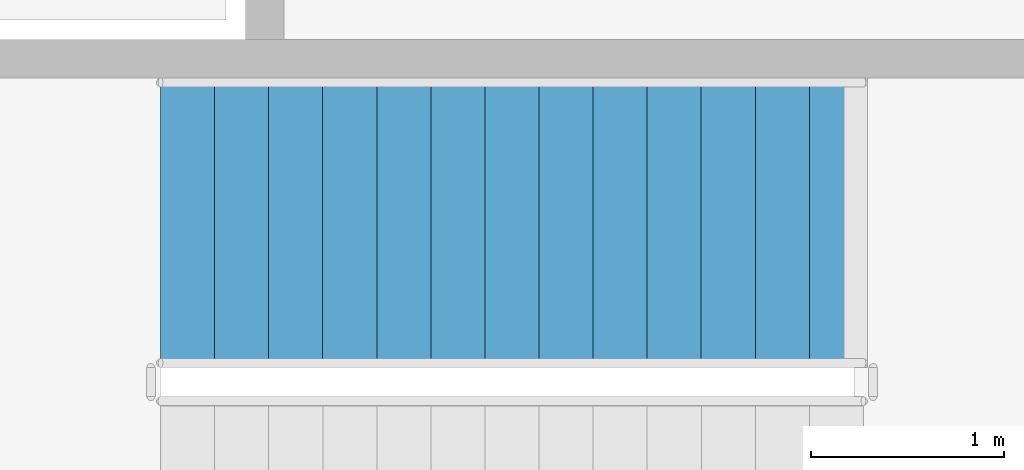
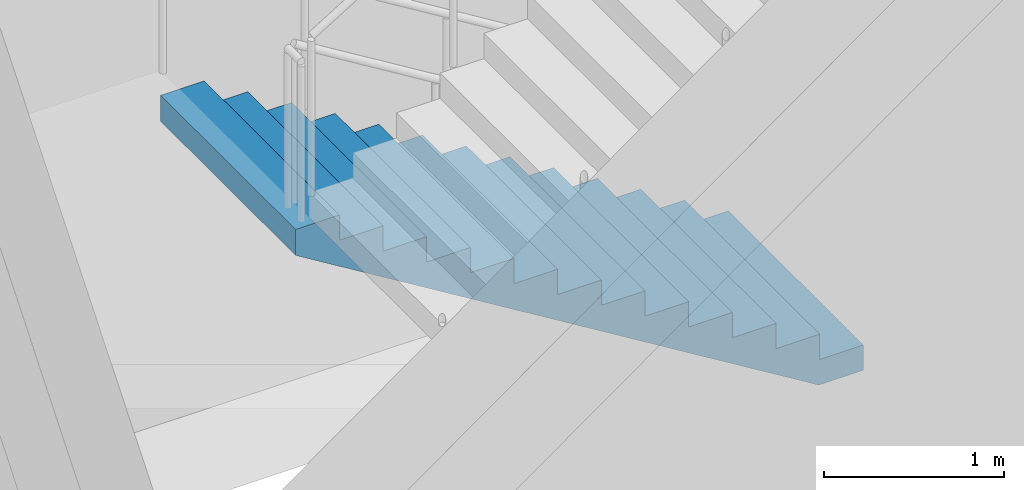
# One storey, part 66 of 91: 1 stair flight, 1 element without a shape of its own.
"""IFC4 building model written with IfcOpenShell, lengths in metres."""

from ifc_helpers import new_model, si_unit, direction, frame, origin, place, context, subcontext, project, spatial, triangles, material, type_object, element, aggregate, save


model = new_model("IFC4")

# Units and contexts
model_context = context("Model", 3, precision=1e-05, world=origin(), true_north=direction((0.0, 1.0)))
body_context = subcontext(model_context, "Body", "Model", "MODEL_VIEW")
ifc_project = project(units=[si_unit("LENGTHUNIT", "METRE"), si_unit("AREAUNIT", "SQUARE_METRE"), si_unit("VOLUMEUNIT", "CUBIC_METRE"), si_unit("PLANEANGLEUNIT", "RADIAN"), si_unit("MASSUNIT", "GRAM", prefix="KILO")], contexts=[model_context])

# Site, building, storey
site_placement = place(None, origin())
site = spatial("IfcSite", under=ifc_project, at=site_placement, CompositionType="ELEMENT")
building_placement = place(site_placement, origin())
building = spatial("IfcBuilding", under=site, at=building_placement, Name="Magnolia Steps Interchange", CompositionType="ELEMENT")
storey_placement = place(building_placement, origin())
storey = spatial("IfcBuildingStorey", under=building, at=storey_placement, Name="L00", CompositionType="ELEMENT", Elevation=0.0)

# Stair, stair flight
ifc_material_1 = material(Name="Concrete C40", Category="concrete")
stair_type = type_object("IfcStairType", Name="Exit stair 1500", PredefinedType="HALF_TURN_STAIR", material=ifc_material_1)
stair_placement = place(storey_placement, origin())
stair = element("IfcStair", 1, at=stair_placement, inside=storey, type_object=stair_type, Name="L00 Stair 1", PredefinedType="HALF_TURN_STAIR")
ifc_material_2 = material(Name="Concrete C40", Category="concrete")
stair_flight_type = type_object("IfcStairFlightType", Name="Exit stair flight", PredefinedType="STRAIGHT", material=ifc_material_2)
stair_flight_placement = place(storey_placement, frame((59.0, 77.699951171875, 0.0), z_axis=(0.0, 0.0, 1.0), x_axis=(-1.0, 0.0, 0.0)))
stair_flight = element("IfcStairFlight", 2, at=stair_flight_placement, type_object=stair_flight_type, Name="Stair 1 flight 1", NumberOfRisers=14, NumberOfTreads=13, PredefinedType="STRAIGHT", RiserHeight=0.171428571, TreadLength=0.28, context=body_context, shape_type="Tessellation", body=[
    triangles([(0.0, -0.75, 0.0), (0.287109375, -0.75, 0.0), (3.639892578125, -0.75, 2.052734375), (3.639892578125, -0.75, 2.228515625), (3.360107421875, -0.75, 2.228515625), (3.360107421875, -0.75, 2.05712890625), (3.080078125, -0.75, 2.05712890625), (3.080078125, -0.75, 1.8857421875), (2.800048828125, -0.75, 1.8857421875), (2.800048828125, -0.75, 1.71435546875), (2.52001953125, -0.75, 1.71435546875), (2.52001953125, -0.75, 1.54296875), (2.239990234375, -0.75, 1.54296875), (2.239990234375, -0.75, 1.371337890625), (1.9599609375, -0.75, 1.371337890625), (1.9599609375, -0.75, 1.199951171875), (1.679931640625, -0.75, 1.199951171875), (1.679931640625, -0.75, 1.028564453125), (1.39990234375, -0.75, 1.028564453125), (1.39990234375, -0.75, 0.857177734375), (1.1201171875, -0.75, 0.857177734375), (1.1201171875, -0.75, 0.685791015625), (0.840087890625, -0.75, 0.685791015625), (0.840087890625, -0.75, 0.514404296875), (0.56005859375, -0.75, 0.514404296875), (0.56005859375, -0.75, 0.3427734375), (0.280029296875, -0.75, 0.3427734375), (0.280029296875, -0.75, 0.17138671875), (0.0, -0.75, 0.17138671875), (0.0, 0.75, 0.0), (0.287109375, 0.75, 0.0), (3.639892578125, 0.75, 2.052734375), (3.639892578125, 0.75, 2.228515625), (3.360107421875, 0.75, 2.228515625), (3.360107421875, 0.75, 2.05712890625), (3.080078125, 0.75, 2.05712890625), (3.080078125, 0.75, 1.8857421875), (2.800048828125, 0.75, 1.8857421875), (2.800048828125, 0.75, 1.71435546875), (2.52001953125, 0.75, 1.71435546875), (2.52001953125, 0.75, 1.54296875), (2.239990234375, 0.75, 1.54296875), (2.239990234375, 0.75, 1.371337890625), (1.9599609375, 0.75, 1.371337890625), (1.9599609375, 0.75, 1.199951171875), (1.679931640625, 0.75, 1.199951171875), (1.679931640625, 0.75, 1.028564453125), (1.39990234375, 0.75, 1.028564453125), (1.39990234375, 0.75, 0.857177734375), (1.1201171875, 0.75, 0.857177734375), (1.1201171875, 0.75, 0.685791015625), (0.840087890625, 0.75, 0.685791015625), (0.840087890625, 0.75, 0.514404296875), (0.56005859375, 0.75, 0.514404296875), (0.56005859375, 0.75, 0.3427734375), (0.280029296875, 0.75, 0.3427734375), (0.280029296875, 0.75, 0.17138671875), (0.0, 0.75, 0.17138671875), (0.0, 0.0, 0.0), (0.0, 0.0, 0.0428466796875), (0.0, 0.0, 0.085693359375), (0.0, 0.0, 0.1285400390625), (0.0, 0.0, 0.17138671875), (0.0, -0.05, 0.0), (0.0, -0.05, 0.17138671875), (0.0, 0.05, 0.0), (0.0, 0.05, 0.17138671875), (0.046671549479166664, 0.0, 0.17138671875), (0.09334309895833333, 0.0, 0.17138671875), (0.1400146484375, 0.0, 0.17138671875), (0.18668619791666666, 0.0, 0.17138671875), (0.23335774739583334, 0.0, 0.17138671875), (0.280029296875, 0.0, 0.17138671875), (0.280029296875, -0.05, 0.17138671875), (0.280029296875, 0.05, 0.17138671875), (0.280029296875, 0.0, 0.2142333984375), (0.280029296875, 0.0, 0.257080078125), (0.280029296875, 0.0, 0.2999267578125), (0.280029296875, 0.0, 0.3427734375), (0.280029296875, -0.05, 0.3427734375), (0.280029296875, 0.05, 0.3427734375), (0.3267008463541667, 0.0, 0.3427734375), (0.3733723958333333, 0.0, 0.3427734375), (0.4200439453125, 0.0, 0.3427734375), (0.46671549479166663, 0.0, 0.3427734375), (0.5133870442708334, 0.0, 0.3427734375), (0.56005859375, 0.0, 0.3427734375), (0.56005859375, -0.05, 0.3427734375), (0.56005859375, 0.05, 0.3427734375), (0.56005859375, 0.0, 0.38568115234375), (0.56005859375, 0.0, 0.4285888671875), (0.56005859375, 0.0, 0.47149658203125), (0.56005859375, 0.0, 0.514404296875), (0.56005859375, -0.05, 0.514404296875), (0.56005859375, 0.05, 0.514404296875), (0.6067301432291666, 0.0, 0.514404296875), (0.6534016927083334, 0.0, 0.514404296875), (0.7000732421875, 0.0, 0.514404296875), (0.7467447916666666, 0.0, 0.514404296875), (0.7934163411458334, 0.0, 0.514404296875), (0.840087890625, 0.0, 0.514404296875), (0.840087890625, -0.05, 0.514404296875), (0.840087890625, 0.05, 0.514404296875), (0.840087890625, 0.0, 0.5572509765625), (0.840087890625, 0.0, 0.60009765625), (0.840087890625, 0.0, 0.6429443359375), (0.840087890625, 0.0, 0.685791015625), (0.840087890625, -0.05, 0.685791015625), (0.840087890625, 0.05, 0.685791015625), (0.8867594401041666, 0.0, 0.685791015625), (0.9334309895833334, 0.0, 0.685791015625), (0.9801025390625, 0.0, 0.685791015625), (1.0267740885416667, 0.0, 0.685791015625), (1.0734456380208333, 0.0, 0.685791015625), (1.1201171875, 0.0, 0.685791015625), (1.1201171875, -0.05, 0.685791015625), (1.1201171875, 0.05, 0.685791015625), (1.1201171875, 0.0, 0.7286376953125), (1.1201171875, 0.0, 0.771484375), (1.1201171875, 0.0, 0.8143310546875), (1.1201171875, 0.0, 0.857177734375), (1.1201171875, -0.05, 0.857177734375), (1.1201171875, 0.05, 0.857177734375), (1.1900634765625, 0.0, 0.857177734375), (1.260009765625, 0.0, 0.857177734375), (1.3299560546875, 0.0, 0.857177734375), (1.39990234375, 0.0, 0.857177734375), (1.39990234375, -0.05, 0.857177734375), (1.39990234375, 0.05, 0.857177734375), (1.39990234375, 0.0, 0.9000244140625), (1.39990234375, 0.0, 0.94287109375), (1.39990234375, 0.0, 0.9857177734375), (1.39990234375, 0.0, 1.028564453125), (1.39990234375, -0.05, 1.028564453125), (1.39990234375, 0.05, 1.028564453125), (1.4465738932291667, 0.0, 1.028564453125), (1.4932454427083333, 0.0, 1.028564453125), (1.5399169921875, 0.0, 1.028564453125), (1.5865885416666667, 0.0, 1.028564453125), (1.6332600911458333, 0.0, 1.028564453125), (1.679931640625, 0.0, 1.028564453125), (1.679931640625, -0.05, 1.028564453125), (1.679931640625, 0.05, 1.028564453125), (1.679931640625, 0.0, 1.0714111328125), (1.679931640625, 0.0, 1.1142578125), (1.679931640625, 0.0, 1.1571044921875), (1.679931640625, 0.0, 1.199951171875), (1.679931640625, -0.05, 1.199951171875), (1.679931640625, 0.05, 1.199951171875), (1.7266031901041667, 0.0, 1.199951171875), (1.7732747395833333, 0.0, 1.199951171875), (1.8199462890625, 0.0, 1.199951171875), (1.8666178385416667, 0.0, 1.199951171875), (1.9132893880208333, 0.0, 1.199951171875), (1.9599609375, 0.0, 1.199951171875), (1.9599609375, -0.05, 1.199951171875), (1.9599609375, 0.05, 1.199951171875), (1.9599609375, 0.0, 1.2427978515625), (1.9599609375, 0.0, 1.28564453125), (1.9599609375, 0.0, 1.3284912109375), (1.9599609375, 0.0, 1.371337890625), (1.9599609375, -0.05, 1.371337890625), (1.9599609375, 0.05, 1.371337890625), (2.0066324869791665, 0.0, 1.371337890625), (2.0533040364583335, 0.0, 1.371337890625), (2.0999755859375, 0.0, 1.371337890625), (2.1466471354166665, 0.0, 1.371337890625), (2.1933186848958335, 0.0, 1.371337890625), (2.239990234375, 0.0, 1.371337890625), (2.239990234375, -0.05, 1.371337890625), (2.239990234375, 0.05, 1.371337890625), (2.239990234375, 0.0, 1.41424560546875), (2.239990234375, 0.0, 1.4571533203125), (2.239990234375, 0.0, 1.50006103515625), (2.239990234375, 0.0, 1.54296875), (2.239990234375, -0.05, 1.54296875), (2.239990234375, 0.05, 1.54296875), (2.2866617838541665, 0.0, 1.54296875), (2.3333333333333335, 0.0, 1.54296875), (2.3800048828125, 0.0, 1.54296875), (2.4266764322916665, 0.0, 1.54296875), (2.4733479817708335, 0.0, 1.54296875), (2.52001953125, 0.0, 1.54296875), (2.52001953125, -0.05, 1.54296875), (2.52001953125, 0.05, 1.54296875), (2.52001953125, 0.0, 1.5858154296875), (2.52001953125, 0.0, 1.628662109375), (2.52001953125, 0.0, 1.6715087890625), (2.52001953125, 0.0, 1.71435546875), (2.52001953125, -0.05, 1.71435546875), (2.52001953125, 0.05, 1.71435546875), (2.5666910807291665, 0.0, 1.71435546875), (2.6133626302083335, 0.0, 1.71435546875), (2.6600341796875, 0.0, 1.71435546875), (2.7067057291666665, 0.0, 1.71435546875), (2.7533772786458335, 0.0, 1.71435546875), (2.800048828125, 0.0, 1.71435546875), (2.800048828125, -0.05, 1.71435546875), (2.800048828125, 0.05, 1.71435546875), (2.800048828125, 0.0, 1.7572021484375), (2.800048828125, 0.0, 1.800048828125), (2.800048828125, 0.0, 1.8428955078125), (2.800048828125, 0.0, 1.8857421875), (2.800048828125, -0.05, 1.8857421875), (2.800048828125, 0.05, 1.8857421875), (2.8467203776041665, 0.0, 1.8857421875), (2.8933919270833335, 0.0, 1.8857421875), (2.9400634765625, 0.0, 1.8857421875), (2.9867350260416665, 0.0, 1.8857421875), (3.0334065755208335, 0.0, 1.8857421875), (3.080078125, 0.0, 1.8857421875), (3.080078125, -0.05, 1.8857421875), (3.080078125, 0.05, 1.8857421875), (3.080078125, 0.0, 1.9285888671875), (3.080078125, 0.0, 1.971435546875), (3.080078125, 0.0, 2.0142822265625), (3.080078125, 0.0, 2.05712890625), (3.080078125, -0.05, 2.05712890625), (3.080078125, 0.05, 2.05712890625), (3.1267496744791665, 0.0, 2.05712890625), (3.1734212239583335, 0.0, 2.05712890625), (3.2200927734375, 0.0, 2.05712890625), (3.2667643229166665, 0.0, 2.05712890625), (3.3134358723958335, 0.0, 2.05712890625), (3.360107421875, 0.0, 2.05712890625), (3.360107421875, -0.05, 2.05712890625), (3.360107421875, 0.05, 2.05712890625), (3.360107421875, 0.0, 2.0999755859375), (3.360107421875, 0.0, 2.142822265625), (3.360107421875, 0.0, 2.1856689453125), (3.360107421875, 0.0, 2.228515625), (3.360107421875, -0.05, 2.228515625), (3.360107421875, 0.05, 2.228515625), (3.4300537109375, 0.0, 2.228515625), (3.5, 0.0, 2.228515625), (3.5699462890625, 0.0, 2.228515625), (3.639892578125, 0.0, 2.228515625), (3.639892578125, -0.05, 2.228515625), (3.639892578125, 0.05, 2.228515625), (3.639892578125, 0.0, 2.1845703125), (3.639892578125, 0.0, 2.140625), (3.639892578125, 0.0, 2.0966796875), (3.639892578125, 0.0, 2.052734375), (3.639892578125, -0.05, 2.052734375), (3.639892578125, 0.05, 2.052734375), (3.582085971174569, 0.0, 2.0173424030172415), (3.524279364224138, 0.0, 1.9819504310344827), (3.466472757273707, 0.0, 1.9465584590517242), (3.408666150323276, 0.0, 1.9111664870689655), (3.3508595433728448, 0.0, 1.8757745150862069), (3.2930529364224137, 0.0, 1.8403825431034484), (3.2352463294719827, 0.0, 1.8049905711206897), (3.1774397225215516, 0.0, 1.769598599137931), (3.1196331155711206, 0.0, 1.7342066271551724), (3.0618265086206895, 0.0, 1.6988146551724137), (3.004019901670259, 0.0, 1.6634226831896552), (2.9462132947198274, 0.0, 1.6280307112068966), (2.888406687769397, 0.0, 1.592638739224138), (2.8306000808189653, 0.0, 1.5572467672413794), (2.7727934738685347, 0.0, 1.5218547952586206), (2.714986866918103, 0.0, 1.486462823275862), (2.6571802599676726, 0.0, 1.4510708512931034), (2.599373653017241, 0.0, 1.4156788793103448), (2.5415670460668105, 0.0, 1.3802869073275863), (2.483760439116379, 0.0, 1.3448949353448276), (2.4259538321659484, 0.0, 1.309502963362069), (2.3681472252155173, 0.0, 1.2741109913793105), (2.3103406182650863, 0.0, 1.2387190193965516), (2.2525340113146552, 0.0, 1.2033270474137931), (2.194727404364224, 0.0, 1.1679350754310345), (2.136920797413793, 0.0, 1.1325431034482758), (2.079114190463362, 0.0, 1.0971511314655173), (2.021307583512931, 0.0, 1.0617591594827587), (1.9635009765625, 0.0, 1.0263671875), (1.905694369612069, 0.0, 0.9909752155172413), (1.847887762661638, 0.0, 0.9555832435344827), (1.7900811557112069, 0.0, 0.9201912715517242), (1.7322745487607758, 0.0, 0.8847992995689655), (1.6744679418103448, 0.0, 0.8494073275862069), (1.6166613348599137, 0.0, 0.8140153556034482), (1.5588547279094827, 0.0, 0.7786233836206897), (1.5010481209590516, 0.0, 0.743231411637931), (1.4432415140086206, 0.0, 0.7078394396551724), (1.3854349070581895, 0.0, 0.6724474676724137), (1.3276283001077585, 0.0, 0.6370554956896552), (1.2698216931573274, 0.0, 0.6016635237068966), (1.2120150862068964, 0.0, 0.5662715517241379), (1.1542084792564653, 0.0, 0.5308795797413792), (1.0964018723060347, 0.0, 0.4954876077586208), (1.0385952653556036, 0.0, 0.4600956357758621), (0.9807886584051726, 0.0, 0.4247036637931034), (0.9229820514547415, 0.0, 0.38931169181034475), (0.8651754445043105, 0.0, 0.3539197198275863), (0.8073688375538794, 0.0, 0.3185277478448276), (0.7495622306034484, 0.0, 0.28313577586206895), (0.6917556236530173, 0.0, 0.24774380387931028), (0.6339490167025863, 0.0, 0.21235183189655182), (0.5761424097521552, 0.0, 0.17695985991379315), (0.5183358028017242, 0.0, 0.14156788793103448), (0.46052919585129315, 0.0, 0.1061759159482758), (0.4027225889008621, 0.0, 0.07078394396551735), (0.34491598195043105, 0.0, 0.03539197198275845), (0.287109375, 0.0, 0.0), (0.287109375, -0.05, 0.0), (0.287109375, 0.05, 0.0), (0.2392578125, 0.0, 0.0), (0.19140625, 0.0, 0.0), (0.1435546875, 0.0, 0.0), (0.095703125, 0.0, 0.0), (0.0478515625, 0.0, 0.0)], [[1, 2, 3], [3, 4, 5], [3, 5, 6], [3, 6, 7], [3, 7, 8], [8, 9, 10], [3, 8, 10], [10, 11, 12], [3, 10, 12], [12, 13, 14], [3, 12, 14], [14, 15, 16], [3, 14, 16], [16, 17, 18], [3, 16, 18], [18, 19, 20], [3, 18, 20], [20, 21, 22], [3, 20, 22], [22, 23, 24], [3, 22, 24], [24, 25, 26], [3, 24, 26], [26, 27, 28], [3, 26, 28], [1, 3, 28], [28, 29, 1], [30, 32, 31], [32, 34, 33], [32, 35, 34], [32, 36, 35], [32, 37, 36], [37, 39, 38], [32, 39, 37], [39, 41, 40], [32, 41, 39], [41, 43, 42], [32, 43, 41], [43, 45, 44], [32, 45, 43], [45, 47, 46], [32, 47, 45], [47, 49, 48], [32, 49, 47], [49, 51, 50], [32, 51, 49], [51, 53, 52], [32, 53, 51], [53, 55, 54], [32, 55, 53], [55, 57, 56], [32, 57, 55], [30, 57, 32], [57, 30, 58], [1, 29, 65], [1, 65, 64], [64, 60, 59], [64, 61, 60], [64, 65, 61], [65, 62, 61], [65, 63, 62], [30, 67, 58], [30, 66, 67], [66, 59, 60], [66, 60, 61], [66, 61, 67], [67, 61, 62], [67, 62, 63], [29, 28, 74], [29, 74, 65], [65, 68, 63], [65, 69, 68], [65, 70, 69], [65, 74, 70], [74, 71, 70], [74, 72, 71], [74, 73, 72], [58, 75, 57], [58, 67, 75], [67, 63, 68], [67, 68, 69], [67, 69, 70], [67, 70, 75], [75, 70, 71], [75, 71, 72], [75, 72, 73], [28, 27, 80], [28, 80, 74], [74, 76, 73], [74, 77, 76], [74, 80, 77], [80, 78, 77], [80, 79, 78], [57, 81, 56], [57, 75, 81], [75, 73, 76], [75, 76, 77], [75, 77, 81], [81, 77, 78], [81, 78, 79], [27, 26, 88], [27, 88, 80], [80, 82, 79], [80, 83, 82], [80, 84, 83], [80, 88, 84], [88, 85, 84], [88, 86, 85], [88, 87, 86], [56, 89, 55], [56, 81, 89], [81, 79, 82], [81, 82, 83], [81, 83, 84], [81, 84, 89], [89, 84, 85], [89, 85, 86], [89, 86, 87], [26, 25, 94], [26, 94, 88], [88, 90, 87], [88, 91, 90], [88, 94, 91], [94, 92, 91], [94, 93, 92], [55, 95, 54], [55, 89, 95], [89, 87, 90], [89, 90, 91], [89, 91, 95], [95, 91, 92], [95, 92, 93], [25, 24, 102], [25, 102, 94], [94, 96, 93], [94, 97, 96], [94, 98, 97], [94, 102, 98], [102, 99, 98], [102, 100, 99], [102, 101, 100], [54, 103, 53], [54, 95, 103], [95, 93, 96], [95, 96, 97], [95, 97, 98], [95, 98, 103], [103, 98, 99], [103, 99, 100], [103, 100, 101], [24, 23, 108], [24, 108, 102], [102, 104, 101], [102, 105, 104], [102, 108, 105], [108, 106, 105], [108, 107, 106], [53, 109, 52], [53, 103, 109], [103, 101, 104], [103, 104, 105], [103, 105, 109], [109, 105, 106], [109, 106, 107], [23, 22, 116], [23, 116, 108], [108, 110, 107], [108, 111, 110], [108, 112, 111], [108, 116, 112], [116, 113, 112], [116, 114, 113], [116, 115, 114], [52, 117, 51], [52, 109, 117], [109, 107, 110], [109, 110, 111], [109, 111, 112], [109, 112, 117], [117, 112, 113], [117, 113, 114], [117, 114, 115], [22, 21, 122], [22, 122, 116], [116, 118, 115], [116, 119, 118], [116, 122, 119], [122, 120, 119], [122, 121, 120], [51, 123, 50], [51, 117, 123], [117, 115, 118], [117, 118, 119], [117, 119, 123], [123, 119, 120], [123, 120, 121], [21, 20, 128], [21, 128, 122], [122, 124, 121], [122, 125, 124], [122, 128, 125], [128, 126, 125], [128, 127, 126], [50, 129, 49], [50, 123, 129], [123, 121, 124], [123, 124, 125], [123, 125, 129], [129, 125, 126], [129, 126, 127], [20, 19, 134], [20, 134, 128], [128, 130, 127], [128, 131, 130], [128, 134, 131], [134, 132, 131], [134, 133, 132], [49, 135, 48], [49, 129, 135], [129, 127, 130], [129, 130, 131], [129, 131, 135], [135, 131, 132], [135, 132, 133], [19, 18, 142], [19, 142, 134], [134, 136, 133], [134, 137, 136], [134, 138, 137], [134, 142, 138], [142, 139, 138], [142, 140, 139], [142, 141, 140], [48, 143, 47], [48, 135, 143], [135, 133, 136], [135, 136, 137], [135, 137, 138], [135, 138, 143], [143, 138, 139], [143, 139, 140], [143, 140, 141], [18, 17, 148], [18, 148, 142], [142, 144, 141], [142, 145, 144], [142, 148, 145], [148, 146, 145], [148, 147, 146], [47, 149, 46], [47, 143, 149], [143, 141, 144], [143, 144, 145], [143, 145, 149], [149, 145, 146], [149, 146, 147], [17, 16, 156], [17, 156, 148], [148, 150, 147], [148, 151, 150], [148, 152, 151], [148, 156, 152], [156, 153, 152], [156, 154, 153], [156, 155, 154], [46, 157, 45], [46, 149, 157], [149, 147, 150], [149, 150, 151], [149, 151, 152], [149, 152, 157], [157, 152, 153], [157, 153, 154], [157, 154, 155], [16, 15, 162], [16, 162, 156], [156, 158, 155], [156, 159, 158], [156, 162, 159], [162, 160, 159], [162, 161, 160], [45, 163, 44], [45, 157, 163], [157, 155, 158], [157, 158, 159], [157, 159, 163], [163, 159, 160], [163, 160, 161], [15, 14, 170], [15, 170, 162], [162, 164, 161], [162, 165, 164], [162, 166, 165], [162, 170, 166], [170, 167, 166], [170, 168, 167], [170, 169, 168], [44, 171, 43], [44, 163, 171], [163, 161, 164], [163, 164, 165], [163, 165, 166], [163, 166, 171], [171, 166, 167], [171, 167, 168], [171, 168, 169], [14, 13, 176], [14, 176, 170], [170, 172, 169], [170, 173, 172], [170, 176, 173], [176, 174, 173], [176, 175, 174], [43, 177, 42], [43, 171, 177], [171, 169, 172], [171, 172, 173], [171, 173, 177], [177, 173, 174], [177, 174, 175], [13, 12, 184], [13, 184, 176], [176, 178, 175], [176, 179, 178], [176, 180, 179], [176, 184, 180], [184, 181, 180], [184, 182, 181], [184, 183, 182], [42, 185, 41], [42, 177, 185], [177, 175, 178], [177, 178, 179], [177, 179, 180], [177, 180, 185], [185, 180, 181], [185, 181, 182], [185, 182, 183], [12, 11, 190], [12, 190, 184], [184, 186, 183], [184, 187, 186], [184, 190, 187], [190, 188, 187], [190, 189, 188], [41, 191, 40], [41, 185, 191], [185, 183, 186], [185, 186, 187], [185, 187, 191], [191, 187, 188], [191, 188, 189], [11, 10, 198], [11, 198, 190], [190, 192, 189], [190, 193, 192], [190, 194, 193], [190, 198, 194], [198, 195, 194], [198, 196, 195], [198, 197, 196], [40, 199, 39], [40, 191, 199], [191, 189, 192], [191, 192, 193], [191, 193, 194], [191, 194, 199], [199, 194, 195], [199, 195, 196], [199, 196, 197], [10, 9, 204], [10, 204, 198], [198, 200, 197], [198, 201, 200], [198, 204, 201], [204, 202, 201], [204, 203, 202], [39, 205, 38], [39, 199, 205], [199, 197, 200], [199, 200, 201], [199, 201, 205], [205, 201, 202], [205, 202, 203], [9, 8, 212], [9, 212, 204], [204, 206, 203], [204, 207, 206], [204, 208, 207], [204, 212, 208], [212, 209, 208], [212, 210, 209], [212, 211, 210], [38, 213, 37], [38, 205, 213], [205, 203, 206], [205, 206, 207], [205, 207, 208], [205, 208, 213], [213, 208, 209], [213, 209, 210], [213, 210, 211], [8, 7, 218], [8, 218, 212], [212, 214, 211], [212, 215, 214], [212, 218, 215], [218, 216, 215], [218, 217, 216], [37, 219, 36], [37, 213, 219], [213, 211, 214], [213, 214, 215], [213, 215, 219], [219, 215, 216], [219, 216, 217], [7, 6, 226], [7, 226, 218], [218, 220, 217], [218, 221, 220], [218, 222, 221], [218, 226, 222], [226, 223, 222], [226, 224, 223], [226, 225, 224], [36, 227, 35], [36, 219, 227], [219, 217, 220], [219, 220, 221], [219, 221, 222], [219, 222, 227], [227, 222, 223], [227, 223, 224], [227, 224, 225], [6, 5, 232], [6, 232, 226], [226, 228, 225], [226, 229, 228], [226, 232, 229], [232, 230, 229], [232, 231, 230], [35, 233, 34], [35, 227, 233], [227, 225, 228], [227, 228, 229], [227, 229, 233], [233, 229, 230], [233, 230, 231], [5, 4, 238], [5, 238, 232], [232, 234, 231], [232, 235, 234], [232, 238, 235], [238, 236, 235], [238, 237, 236], [34, 239, 33], [34, 233, 239], [233, 231, 234], [233, 234, 235], [233, 235, 239], [239, 235, 236], [239, 236, 237], [4, 3, 244], [4, 244, 238], [238, 240, 237], [238, 241, 240], [238, 244, 241], [244, 242, 241], [244, 243, 242], [33, 245, 32], [33, 239, 245], [239, 237, 240], [239, 240, 241], [239, 241, 245], [245, 241, 242], [245, 242, 243], [3, 2, 304], [3, 304, 244], [244, 246, 243], [244, 247, 246], [244, 248, 247], [244, 249, 248], [244, 250, 249], [244, 251, 250], [244, 252, 251], [244, 253, 252], [244, 254, 253], [244, 255, 254], [244, 256, 255], [244, 257, 256], [244, 258, 257], [244, 259, 258], [244, 260, 259], [244, 261, 260], [244, 262, 261], [244, 263, 262], [244, 264, 263], [244, 265, 264], [244, 266, 265], [244, 267, 266], [244, 268, 267], [244, 269, 268], [244, 270, 269], [244, 271, 270], [244, 272, 271], [244, 273, 272], [244, 274, 273], [244, 304, 274], [304, 275, 274], [304, 276, 275], [304, 277, 276], [304, 278, 277], [304, 279, 278], [304, 280, 279], [304, 281, 280], [304, 282, 281], [304, 283, 282], [304, 284, 283], [304, 285, 284], [304, 286, 285], [304, 287, 286], [304, 288, 287], [304, 289, 288], [304, 290, 289], [304, 291, 290], [304, 292, 291], [304, 293, 292], [304, 294, 293], [304, 295, 294], [304, 296, 295], [304, 297, 296], [304, 298, 297], [304, 299, 298], [304, 300, 299], [304, 301, 300], [304, 302, 301], [304, 303, 302], [32, 305, 31], [32, 245, 305], [245, 243, 246], [245, 246, 247], [245, 247, 248], [245, 248, 249], [245, 249, 250], [245, 250, 251], [245, 251, 252], [245, 252, 253], [245, 253, 254], [245, 254, 255], [245, 255, 256], [245, 256, 257], [245, 257, 258], [245, 258, 259], [245, 259, 260], [245, 260, 261], [245, 261, 262], [245, 262, 263], [245, 263, 264], [245, 264, 265], [245, 265, 266], [245, 266, 267], [245, 267, 268], [245, 268, 269], [245, 269, 270], [245, 270, 271], [245, 271, 272], [245, 272, 273], [245, 273, 274], [245, 274, 305], [305, 274, 275], [305, 275, 276], [305, 276, 277], [305, 277, 278], [305, 278, 279], [305, 279, 280], [305, 280, 281], [305, 281, 282], [305, 282, 283], [305, 283, 284], [305, 284, 285], [305, 285, 286], [305, 286, 287], [305, 287, 288], [305, 288, 289], [305, 289, 290], [305, 290, 291], [305, 291, 292], [305, 292, 293], [305, 293, 294], [305, 294, 295], [305, 295, 296], [305, 296, 297], [305, 297, 298], [305, 298, 299], [305, 299, 300], [305, 300, 301], [305, 301, 302], [305, 302, 303], [2, 1, 64], [2, 64, 304], [304, 306, 303], [304, 307, 306], [304, 308, 307], [304, 64, 308], [64, 309, 308], [64, 310, 309], [64, 59, 310], [31, 66, 30], [31, 305, 66], [305, 303, 306], [305, 306, 307], [305, 307, 308], [305, 308, 66], [66, 308, 309], [66, 309, 310], [66, 310, 59]], closed=True),
])
aggregate(stair, [stair_flight])

save(model, "model.ifc")
